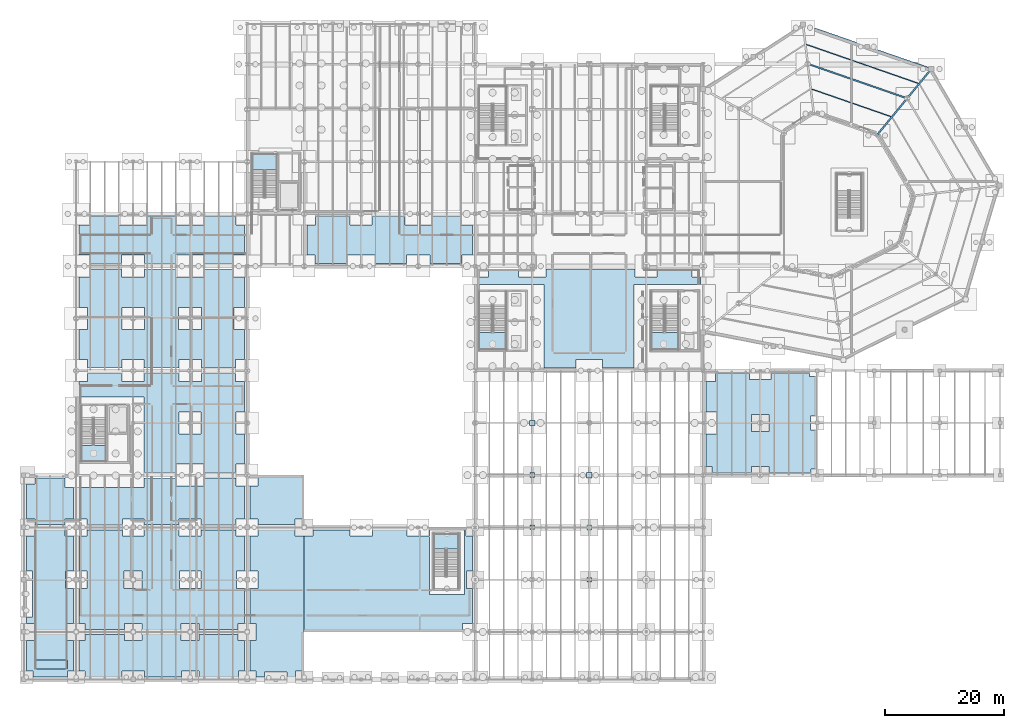
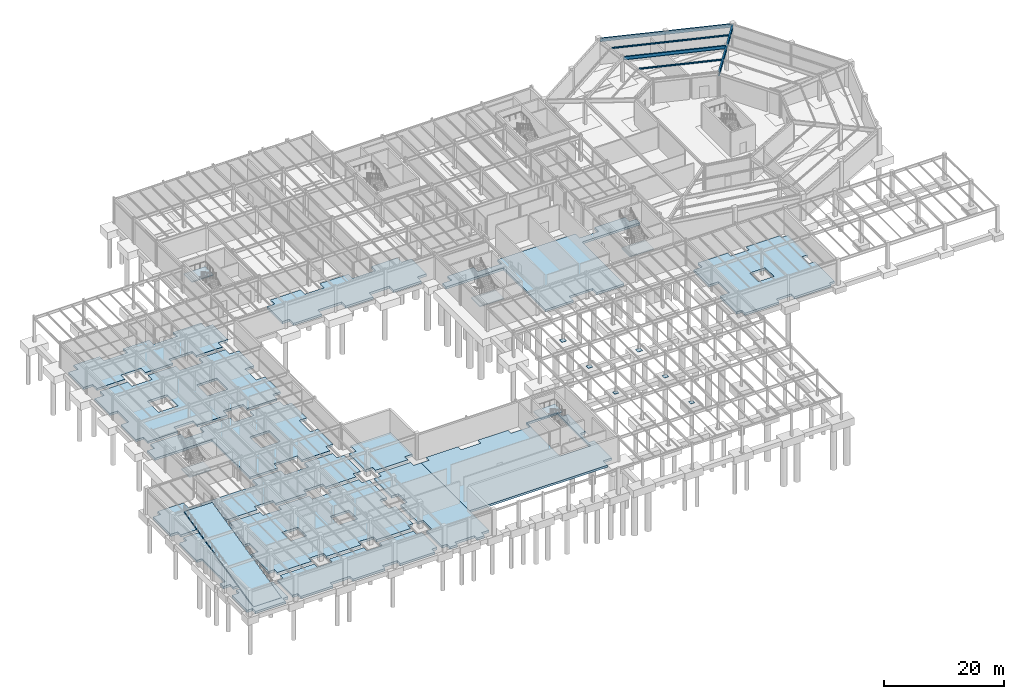
# One storey, part 24 of 48: 21 slabs, 6 plates, 5 beams, 5 elements without a shape of their own.
"""IFC4 building model written with IfcOpenShell, lengths in metres."""

import ifcopenshell
import ifcopenshell.guid

model = None  # the IFC model being written
_history = None  # IfcOwnerHistory: only IFC2X3 demands one
_inside = {}  # id of a spatial element -> (the spatial element, [elements in it])
_under = {}  # id of a project, library or spatial element -> (it, [spatial elements below it])
_declared = {}  # id of a project -> (the project, [libraries it declares])
_typed = {}  # id of a type object -> (the type object, [elements of that type])
_made_of = {}  # id of a material, layer set ... -> (it, [elements and type objects made of it])


def new_model(schema):
    """Start an empty IFC model of exactly this schema.

    Asked for "IFC4X3", IfcOpenShell would pick the latest addendum, in which some entities
    have other attributes; the version numbers below select the first issue.
    IFC2X3 requires an IfcOwnerHistory on every rooted entity: one is made here for all.
    """
    global model, _history
    if schema == "IFC4X3":
        model = ifcopenshell.file(schema_version=(4, 3, 0, 0))
    else:
        model = ifcopenshell.file(schema=schema)
    _inside.clear()
    _under.clear()
    _declared.clear()
    _typed.clear()
    _made_of.clear()
    _history = None
    if model.schema == "IFC2X3":
        org = make("IfcOrganization", Name="unknown")
        user = make(
            "IfcPersonAndOrganization",
            ThePerson=make("IfcPerson", FamilyName="unknown"),
            TheOrganization=org,
        )
        app = make(
            "IfcApplication",
            ApplicationDeveloper=org,
            Version="unknown",
            ApplicationFullName="unknown",
            ApplicationIdentifier="unknown",
        )
        _history = make(
            "IfcOwnerHistory",
            OwningUser=user,
            OwningApplication=app,
            ChangeAction="ADDED",
            CreationDate=0,
        )
    return model


def make(cls, **values):
    """One entity of the class cls with the attributes given. An attribute that is None is left unset."""
    return model.create_entity(
        cls, **{name: value for name, value in values.items() if value is not None}
    )


def rooted(cls, **values):
    """An entity with a GlobalId (a new one), such as an element, a storey or a relation."""
    return make(cls, GlobalId=ifcopenshell.guid.new(), OwnerHistory=_history, **values)


def si_unit(unit_type, name, prefix=None):
    """IfcSIUnit, for example si_unit("LENGTHUNIT", "METRE", prefix="MILLI")."""
    return make("IfcSIUnit", UnitType=unit_type, Prefix=prefix, Name=name)


def assignment(units):
    """IfcUnitAssignment: the units of a project."""
    return None if units is None else make("IfcUnitAssignment", Units=units)


def point(xyz):
    """IfcCartesianPoint."""
    return None if xyz is None else make("IfcCartesianPoint", Coordinates=xyz)


def direction(xyz):
    """IfcDirection."""
    return None if xyz is None else make("IfcDirection", DirectionRatios=xyz)


def frame(location, z_axis=None, x_axis=None):
    """IfcAxis2Placement3D, a coordinate frame: its origin and axes. An axis left out is left unset."""
    return make(
        "IfcAxis2Placement3D",
        Location=point(location),
        Axis=direction(z_axis),
        RefDirection=direction(x_axis),
    )


def frame_2d(location, x_axis=None):
    """IfcAxis2Placement2D, a coordinate frame in the plane: its origin and x axis."""
    return make(
        "IfcAxis2Placement2D", Location=point(location), RefDirection=direction(x_axis)
    )


def origin():
    """The frame at (0, 0, 0) with its axes left unset."""
    return frame((0.0, 0.0, 0.0))


def origin_2d():
    """The frame at (0, 0) in the plane with its x axis left unset."""
    return frame_2d((0.0, 0.0))


def place(relative_to, where):
    """IfcLocalPlacement: puts the frame where relative to a parent placement (None: the world)."""
    return make(
        "IfcLocalPlacement", PlacementRelTo=relative_to, RelativePlacement=where
    )


def context(
    kind, dimensions, precision=None, world=None, true_north=None, identifier=None
):
    """IfcGeometricRepresentationContext, for example the 3D "Model" context."""
    return make(
        "IfcGeometricRepresentationContext",
        ContextIdentifier=identifier,
        ContextType=kind,
        CoordinateSpaceDimension=dimensions,
        Precision=precision,
        WorldCoordinateSystem=world,
        TrueNorth=true_north,
    )


def subcontext(parent, identifier, kind, view, scale=None):
    """IfcGeometricRepresentationSubContext, for example "Body" below "Model"."""
    return make(
        "IfcGeometricRepresentationSubContext",
        ContextIdentifier=identifier,
        ContextType=kind,
        ParentContext=parent,
        TargetScale=scale,
        TargetView=view,
    )


def project(units=None, contexts=None):
    """IfcProject with its units and contexts."""
    return rooted(
        "IfcProject",
        Name="project",
        RepresentationContexts=contexts,
        UnitsInContext=assignment(units),
    )


def spatial(cls, under=None, at=None, **own):
    """A site, building, storey or space (cls), placed at a placement, below another one or the project."""
    s = rooted(cls, ObjectPlacement=at, **own)
    if under is not None:
        _under.setdefault(under.id(), (under, []))[1].append(s)
    return s


def polyline(points):
    """IfcPolyline through the points."""
    return make("IfcPolyline", Points=[point(p) for p in points])


def profile(cls, at=None, kind="AREA", **sizes):
    """A parametric profile (cls). Its sizes go by their IFC names, for example OverallWidth=200.0."""
    return make(cls, ProfileType=kind, Position=at, **sizes)


def rectangle(**sizes):
    """IfcRectangleProfileDef."""
    return profile("IfcRectangleProfileDef", **sizes)


def i_section(**sizes):
    """IfcIShapeProfileDef."""
    return profile("IfcIShapeProfileDef", **sizes)


def outline(outer, holes=None, kind="AREA"):
    """IfcArbitraryClosedProfileDef: a profile drawn as a closed curve; with holes, ...WithVoids."""
    if holes is None:
        return make("IfcArbitraryClosedProfileDef", ProfileType=kind, OuterCurve=outer)
    return make(
        "IfcArbitraryProfileDefWithVoids",
        ProfileType=kind,
        OuterCurve=outer,
        InnerCurves=holes,
    )


def extrude(swept, where, along, depth):
    """IfcExtrudedAreaSolid: the profile swept, set in the frame where, extruded along a direction by depth."""
    return make(
        "IfcExtrudedAreaSolid",
        SweptArea=swept,
        Position=where,
        ExtrudedDirection=direction(along),
        Depth=depth,
    )


def shape(context_of_items, identifier, shape_type, items):
    """IfcShapeRepresentation: the items that make up one representation, for example the "Body"."""
    return make(
        "IfcShapeRepresentation",
        ContextOfItems=context_of_items,
        RepresentationIdentifier=identifier,
        RepresentationType=shape_type,
        Items=items,
    )


def material(Name=None, Category=None):
    """IfcMaterial."""
    return make("IfcMaterial", Name=Name, Category=Category)


def layer(
    of_material, thickness, ventilated=None, Name=None, Category=None, Priority=None
):
    """IfcMaterialLayer: one layer of a wall or slab, of a material (None: an air gap)."""
    return make(
        "IfcMaterialLayer",
        Material=of_material,
        LayerThickness=thickness,
        IsVentilated=ventilated,
        Name=Name,
        Category=Category,
        Priority=Priority,
    )


def layer_set(layers, Name=None):
    """IfcMaterialLayerSet."""
    return make("IfcMaterialLayerSet", MaterialLayers=layers, LayerSetName=Name)


def material_profile(
    of_material, cross_section, Name=None, Category=None, Priority=None
):
    """IfcMaterialProfile: a cross section and its material."""
    return make(
        "IfcMaterialProfile",
        Name=Name,
        Material=of_material,
        Profile=cross_section,
        Priority=Priority,
        Category=Category,
    )


def profile_set(profiles, Name=None, composite=None):
    """IfcMaterialProfileSet."""
    return make(
        "IfcMaterialProfileSet",
        Name=Name,
        MaterialProfiles=profiles,
        CompositeProfile=composite,
    )


def made_of(thing, what):
    """Note that an element or type object is made of a material, layer set ...; save() writes the relation."""
    if what is not None:
        _made_of.setdefault(what.id(), (what, []))[1].append(thing)
    return thing


def type_object(cls, material=None, **own):
    """A type object (cls), such as IfcWallType, which elements share."""
    return made_of(rooted(cls, **own), material)


def element(
    cls,
    number,
    at=None,
    inside=None,
    cuts=None,
    type_object=None,
    material=None,
    context=None,
    identifier="Body",
    shape_type=None,
    held_by="IfcProductDefinitionShape",
    body=None,
    shapes=None,
    **own,
):
    """One element of the class cls, such as IfcWall. Its Tag is "e" and its number.

    at: its placement. inside: the storey or other place that contains it. cuts: it is an
    opening in that element (IfcRelVoidsElement). A single representation is given by context,
    identifier, shape_type and body (its items); several are given by shapes. held_by: the class
    of the entity that holds the representations. save() writes the other relations.
    """
    e = rooted(cls, Tag="e%d" % number, ObjectPlacement=at, **own)
    if body is not None:
        shapes = [shape(context, identifier, shape_type, body)]
    if shapes is not None:
        e.Representation = make(held_by, Representations=shapes)
    if inside is not None:
        _inside.setdefault(inside.id(), (inside, []))[1].append(e)
    if cuts is not None:
        rooted(
            "IfcRelVoidsElement", RelatingBuildingElement=cuts, RelatedOpeningElement=e
        )
    if type_object is not None:
        _typed.setdefault(type_object.id(), (type_object, []))[1].append(e)
    return made_of(e, material)


def aggregate(whole, parts):
    """IfcRelAggregates: a whole, such as a stair, and the parts it consists of."""
    return rooted("IfcRelAggregates", RelatingObject=whole, RelatedObjects=parts)


def save(model, path):
    """Write the relations noted so far, then the file.

    IfcRelAggregates (storeys below a building ...), IfcRelContainedInSpatialStructure (elements
    in a storey), IfcRelDefinesByType, IfcRelAssociatesMaterial and IfcRelDeclares: one each for
    every whole, place, type object, material and project.
    """
    for whole, parts in _under.values():
        aggregate(whole, parts)
    for where, things in _inside.values():
        rooted(
            "IfcRelContainedInSpatialStructure",
            RelatedElements=things,
            RelatingStructure=where,
        )
    for kind, things in _typed.values():
        rooted("IfcRelDefinesByType", RelatedObjects=things, RelatingType=kind)
    for what, things in _made_of.values():
        rooted("IfcRelAssociatesMaterial", RelatedObjects=things, RelatingMaterial=what)
    for by, libraries in _declared.values():
        rooted("IfcRelDeclares", RelatingContext=by, RelatedDefinitions=libraries)
    model.write(path)


model = new_model("IFC4")

# Units and contexts
model_context = context("Model", 3, precision=1e-05, world=origin(), true_north=direction((0.0, 1.0)))
body_context = subcontext(model_context, "Body", "Model", "MODEL_VIEW")
ifc_project = project(units=[si_unit("LENGTHUNIT", "METRE"), si_unit("AREAUNIT", "SQUARE_METRE"), si_unit("VOLUMEUNIT", "CUBIC_METRE"), si_unit("PLANEANGLEUNIT", "RADIAN"), si_unit("MASSUNIT", "GRAM", prefix="KILO")], contexts=[model_context])

# Site, building, storey
site_placement = place(None, origin())
site = spatial("IfcSite", under=ifc_project, at=site_placement, CompositionType="ELEMENT")
building_placement = place(site_placement, origin())
building = spatial("IfcBuilding", under=site, at=building_placement, Name="Sarnbrook Museum", CompositionType="ELEMENT")
storey_placement = place(building_placement, frame((0.0, 0.0, -5.39990234375)))
storey = spatial("IfcBuildingStorey", under=building, at=storey_placement, Name="B1", CompositionType="ELEMENT", Elevation=-5.39990234375)

# Beams
ifc_material_1 = material(Name="Structural Steel Grade 350L0 (AS/NZS 3678, fy = 340 MPa for 20 < t <= 40 mm)", Category="steel")
ifc_material_profile_1 = material_profile(ifc_material_1, i_section(OverallWidth=0.25, OverallDepth=0.699951171875, WebThickness=0.010009765625, FlangeThickness=0.01611328125, at=origin_2d()), Name="700WB130")
ifc_profile_set_1 = profile_set([ifc_material_profile_1], Name="Structural Steel Grade 350L0 (AS/NZS 3678, fy = 340 MPa for 20 < t <= 40 mm)")
beam_type_1 = type_object("IfcBeamType", Name="BM-WB700", PredefinedType="BEAM", material=ifc_profile_set_1)
beam_1_placement = place(storey_placement, frame((157.36376953125, 107.681884765625, 4.739990234375), z_axis=(-0.9446711743, 0.328018859896, 0.0), x_axis=(-0.328018859896, -0.9446711743, 0.0)))
element("IfcBeam", 1, at=beam_1_placement, inside=storey, type_object=beam_type_1, Name="Crystal Hall Perimeter Ring Girder 5 B1", PredefinedType="BEAM", context=body_context, shape_type="SweptSolid", body=[
    extrude(i_section(OverallWidth=0.25, OverallDepth=0.699951171875, WebThickness=0.010009765625, FlangeThickness=0.01611328125, at=origin_2d()), origin(), (0.0, 0.0, 1.0), 22.365234375),
])
beam_2_placement = place(storey_placement, frame((153.392578125, 102.70947265625, 4.739990234375), z_axis=(-0.944672698081, 0.328014471479, 0.0), x_axis=(-0.328014471479, -0.944672698081, 0.0)))
element("IfcBeam", 2, at=beam_2_placement, inside=storey, type_object=beam_type_1, Name="Crystal Hall R1 Ring Girder 5 B1", PredefinedType="BEAM", context=body_context, shape_type="SweptSolid", body=[
    extrude(i_section(OverallWidth=0.25, OverallDepth=0.699951171875, WebThickness=0.010009765625, FlangeThickness=0.01611328125, at=origin_2d()), origin(), (0.0, 0.0, 1.0), 17.400146484375),
])
ifc_material_profile_2 = material_profile(ifc_material_1, i_section(OverallWidth=0.27490234375, OverallDepth=0.800048828125, WebThickness=0.010009765625, FlangeThickness=0.01611328125, at=origin_2d()), Name="800WB146")
ifc_profile_set_2 = profile_set([ifc_material_profile_2], Name="Structural Steel Grade 350L0 (AS/NZS 3678, fy = 340 MPa for 20 < t <= 40 mm)")
beam_type_2 = type_object("IfcBeamType", Name="CR-CANT", PredefinedType="BEAM", material=ifc_profile_set_2)
beam_3_placement = place(storey_placement, frame((148.481689453125, 96.48876953125, 4.68994140625), z_axis=(0.63438210421, 0.773019628378, 0.0), x_axis=(-0.773019628378, 0.63438210421, 0.0)))
element("IfcBeam", 3, at=beam_3_placement, inside=storey, type_object=beam_type_2, Name="Crystal Hall Radial Cantilever Girder 5 B1", PredefinedType="BEAM", context=body_context, shape_type="SweptSolid", body=[
    extrude(i_section(OverallWidth=0.27490234375, OverallDepth=0.800048828125, WebThickness=0.010009765625, FlangeThickness=0.01611328125, at=origin_2d()), origin(), (0.0, 0.0, 1.0), 14.2236328125),
])
ifc_material_2 = material(Name="Structural Steel Grade 300PLUS (AS/NZS 3679.1, fy = 280 MPa for 17 < t <= 40 mm, 300 MPa for t <= 17 mm)", Category="steel")
ifc_material_profile_3 = material_profile(ifc_material_2, i_section(OverallWidth=0.1650390625, OverallDepth=0.303955078125, WebThickness=0.006103515625, FlangeThickness=0.01025390625, FilletRadius=0.011474609375, at=origin_2d()), Name="310UB40.4")
ifc_profile_set_3 = profile_set([ifc_material_profile_3], Name="Structural Steel Grade 300PLUS (AS/NZS 3679.1, fy = 280 MPa for 17 < t <= 40 mm, 300 MPa for t <= 17 mm)")
beam_type_3 = type_object("IfcBeamType", Name="JS-UB310", PredefinedType="JOIST", material=ifc_profile_set_3)
beam_4_placement = place(storey_placement, frame((155.420654296875, 105.180908203125, 4.93798828125), z_axis=(-0.944673769448, 0.328011385955, 0.0), x_axis=(-0.328011385955, -0.944673769448, 0.0)))
element("IfcBeam", 4, at=beam_4_placement, inside=storey, type_object=beam_type_3, Name="Crystal Hall Tangential Joist MO-5 B1", PredefinedType="JOIST", context=body_context, shape_type="SweptSolid", body=[
    extrude(i_section(OverallWidth=0.1650390625, OverallDepth=0.303955078125, WebThickness=0.006103515625, FlangeThickness=0.01025390625, FilletRadius=0.011474609375, at=origin_2d()), origin(), (0.0, 0.0, 1.0), 19.97265625),
])
beam_5_placement = place(storey_placement, frame((150.823486328125, 99.5791015625, 4.93798828125), z_axis=(-0.944677156242, 0.328001631818, 0.0), x_axis=(-0.328001631818, -0.944677156242, 0.0)))
element("IfcBeam", 5, at=beam_5_placement, inside=storey, type_object=beam_type_3, Name="Crystal Hall Tangential Joist MI-5 B1", PredefinedType="JOIST", context=body_context, shape_type="SweptSolid", body=[
    extrude(i_section(OverallWidth=0.1650390625, OverallDepth=0.303955078125, WebThickness=0.006103515625, FlangeThickness=0.01025390625, FilletRadius=0.011474609375, at=origin_2d()), origin(), (0.0, 0.0, 1.0), 14.141357421875),
])

# Slabs
ifc_material_3 = material(Name="Concrete N40 (AS 3600, f'c = 40 MPa)", Category="concrete")
ifc_layer_1 = layer(ifc_material_3, 0.43994140625)
ifc_layer_set_1 = layer_set([ifc_layer_1], Name="Concrete N40 (AS 3600, f'c = 40 MPa)")
slab_type_1 = type_object("IfcSlabType", Name="BaseSlab_440", PredefinedType="BASESLAB", material=ifc_layer_set_1)
slab_1_placement = place(storey_placement, frame((0.0, 0.0, -0.440185546875)))
element("IfcSlab", 6, at=slab_1_placement, inside=storey, type_object=slab_type_1, Name="V3 Structural Slab B1", PredefinedType="BASESLAB", context=body_context, shape_type="SweptSolid", body=[
    extrude(outline(polyline([(79.294921875, 28.945068359375), (80.344970703125, 28.945068359375), (80.344970703125, 23.054931640625), (79.344970703125, 23.054931640625), (79.344970703125, 20.14501953125), (80.344970703125, 20.14501953125), (80.344970703125, 14.2548828125), (78.64501953125, 14.2548828125), (78.64501953125, 12.800048828125), (52.0, 12.800048828125), (52.0, 28.945068359375), (53.5048828125, 28.945068359375), (53.5048828125, 29.945068359375), (59.695068359375, 29.945068359375), (59.695068359375, 28.945068359375), (63.5048828125, 28.945068359375), (63.5048828125, 29.945068359375), (69.344970703125, 29.945068359375), (69.344970703125, 28.945068359375), (73.054931640625, 28.945068359375), (73.054931640625, 30.39990234375), (79.294921875, 30.39990234375), (79.294921875, 28.945068359375)]), holes=[polyline([(78.985107421875, 19.094970703125), (73.10498046875, 19.094970703125), (73.10498046875, 28.804931640625), (73.195068359375, 28.804931640625), (73.195068359375, 30.260009765625), (78.985107421875, 30.260009765625), (78.985107421875, 19.094970703125)])]), origin(), (0.0, 0.0, 1.0), 0.440185546875),
])
ifc_layer_2 = layer(ifc_material_3, 0.449951171875)
ifc_layer_set_2 = layer_set([ifc_layer_2], Name="Concrete N40 (AS 3600, f'c = 40 MPa)")
slab_type_2 = type_object("IfcSlabType", Name="BaseSlab_450", PredefinedType="BASESLAB", material=ifc_layer_set_2)
slab_2_placement = place(storey_placement, frame((0.0, 0.0, -0.4501953125)))
element("IfcSlab", 7, at=slab_2_placement, inside=storey, type_object=slab_type_2, Name="V2 Structural Slab B1 Bay 2", PredefinedType="BASESLAB", context=body_context, shape_type="SweptSolid", body=[
    extrude(outline(polyline([(92.705078125, 73.945068359375), (107.7451171875, 73.945068359375), (107.7451171875, 72.544921875), (111.455078125, 72.544921875), (111.455078125, 73.945068359375), (117.344970703125, 73.945068359375), (117.344970703125, 72.544921875), (118.7451171875, 72.544921875), (118.7451171875, 71.304931640625), (107.544921875, 71.304931640625), (107.544921875, 57.2548828125), (102.2548828125, 57.2548828125), (102.2548828125, 58.655029296875), (97.7451171875, 58.655029296875), (97.7451171875, 57.2548828125), (92.35498046875, 57.2548828125), (92.35498046875, 71.304931640625), (81.2548828125, 71.304931640625), (81.2548828125, 72.544921875), (83.054931640625, 72.544921875), (83.054931640625, 73.945068359375), (88.094970703125, 73.945068359375), (88.094970703125, 72.544921875), (92.705078125, 72.544921875), (92.705078125, 73.945068359375)])), origin(), (0.0, 0.0, 1.0), 0.4501953125),
])
slab_3_placement = place(storey_placement, frame((0.0, 0.0, -0.4501953125)))
element("IfcSlab", 8, at=slab_3_placement, inside=storey, type_object=slab_type_2, Name="V3E Structural Slab B1", PredefinedType="BASESLAB", context=body_context, shape_type="SweptSolid", body=[
    extrude(outline(polyline([(137.2451171875, 49.155029296875), (137.2451171875, 46.844970703125), (138.364990234375, 46.844970703125), (138.364990234375, 40.2548828125), (137.344970703125, 40.2548828125), (137.344970703125, 39.655029296875), (130.2548828125, 39.655029296875), (130.2548828125, 40.655029296875), (127.344970703125, 40.655029296875), (127.344970703125, 39.655029296875), (120.705078125, 39.655029296875), (120.705078125, 40.655029296875), (119.655029296875, 40.655029296875), (119.655029296875, 46.14501953125), (121.5048828125, 46.14501953125), (121.5048828125, 49.85498046875), (119.655029296875, 49.85498046875), (119.655029296875, 54.945068359375), (121.2548828125, 54.945068359375), (121.2548828125, 56.344970703125), (126.9951171875, 56.344970703125), (126.9951171875, 55.344970703125), (130.60498046875, 55.344970703125), (130.60498046875, 56.344970703125), (137.094970703125, 56.344970703125), (137.094970703125, 55.794921875), (138.364990234375, 55.794921875), (138.364990234375, 49.155029296875), (137.2451171875, 49.155029296875)]), holes=[polyline([(130.304931640625, 49.455078125), (130.304931640625, 46.544921875), (127.294921875, 46.544921875), (127.294921875, 49.455078125), (130.304931640625, 49.455078125)])]), origin(), (0.0, 0.0, 1.0), 0.4501953125),
])
slab_4_placement = place(storey_placement, frame((0.0, 0.0, -0.4501953125)))
element("IfcSlab", 9, at=slab_4_placement, inside=storey, type_object=slab_type_2, Name="V4 Structural Slab B1", PredefinedType="BASESLAB", context=body_context, shape_type="SweptSolid", body=[
    extrude(outline(polyline([(30.89501953125, 56.344970703125), (30.89501953125, 54.945068359375), (34.705078125, 54.945068359375), (34.705078125, 56.344970703125), (40.445068359375, 56.344970703125), (40.445068359375, 54.945068359375), (41.945068359375, 54.945068359375), (41.945068359375, 49.85498046875), (40.4951171875, 49.85498046875), (40.4951171875, 46.14501953125), (41.945068359375, 46.14501953125), (41.945068359375, 41.054931640625), (40.544921875, 41.054931640625), (40.544921875, 39.655029296875), (35.10498046875, 39.655029296875), (35.10498046875, 41.054931640625), (30.4951171875, 41.054931640625), (30.4951171875, 39.655029296875), (25.054931640625, 39.655029296875), (25.054931640625, 52.35498046875), (14.054931640625, 52.35498046875), (14.054931640625, 54.945068359375), (15.5048828125, 54.945068359375), (15.5048828125, 56.344970703125), (21.344970703125, 56.344970703125), (21.344970703125, 54.945068359375), (25.054931640625, 54.945068359375), (25.054931640625, 56.344970703125), (30.89501953125, 56.344970703125)]), holes=[polyline([(34.655029296875, 46.14501953125), (30.945068359375, 46.14501953125), (30.945068359375, 49.85498046875), (34.655029296875, 49.85498046875), (34.655029296875, 46.14501953125)])]), origin(), (0.0, 0.0, 1.0), 0.4501953125),
])
slab_5_placement = place(storey_placement, frame((0.0, 0.0, -0.4501953125)))
element("IfcSlab", 10, at=slab_5_placement, inside=storey, type_object=slab_type_2, Name="V4 Structural Slab B1 Bay 2", PredefinedType="BASESLAB", context=body_context, shape_type="SweptSolid", body=[
    extrude(outline(polyline([(30.544921875, 73.945068359375), (30.544921875, 72.544921875), (35.054931640625, 72.544921875), (35.054931640625, 73.945068359375), (40.094970703125, 73.945068359375), (40.094970703125, 72.544921875), (41.945068359375, 72.544921875), (41.945068359375, 67.455078125), (40.14501953125, 67.455078125), (40.14501953125, 63.7451171875), (41.945068359375, 63.7451171875), (41.945068359375, 58.655029296875), (40.445068359375, 58.655029296875), (40.445068359375, 57.2548828125), (34.705078125, 57.2548828125), (34.705078125, 58.655029296875), (30.89501953125, 58.655029296875), (30.89501953125, 57.2548828125), (25.054931640625, 57.2548828125), (25.054931640625, 58.655029296875), (21.344970703125, 58.655029296875), (21.344970703125, 57.2548828125), (15.5048828125, 57.2548828125), (15.5048828125, 58.655029296875), (14.054931640625, 58.655029296875), (14.054931640625, 63.7451171875), (15.554931640625, 63.7451171875), (15.554931640625, 67.455078125), (14.054931640625, 67.455078125), (14.054931640625, 72.544921875), (15.85498046875, 72.544921875), (15.85498046875, 73.945068359375), (21.2451171875, 73.945068359375), (21.2451171875, 72.544921875), (25.155029296875, 72.544921875), (25.155029296875, 73.945068359375), (30.544921875, 73.945068359375)]), holes=[polyline([(21.294921875, 63.7451171875), (21.294921875, 67.455078125), (25.10498046875, 67.455078125), (25.10498046875, 63.7451171875), (21.294921875, 63.7451171875)]), polyline([(34.7548828125, 63.7451171875), (30.844970703125, 63.7451171875), (30.844970703125, 67.455078125), (34.7548828125, 67.455078125), (34.7548828125, 63.7451171875)])]), origin(), (0.0, 0.0, 1.0), 0.4501953125),
])
slab_6_placement = place(storey_placement, frame((0.0, 0.0, -0.4501953125)))
element("IfcSlab", 11, at=slab_6_placement, inside=storey, type_object=slab_type_2, Name="V4 Structural Slab B1 Bay 3", PredefinedType="BASESLAB", context=body_context, shape_type="SweptSolid", body=[
    extrude(outline(polyline([(30.4951171875, 82.7451171875), (30.4951171875, 81.344970703125), (35.10498046875, 81.344970703125), (35.10498046875, 82.7451171875), (40.544921875, 82.7451171875), (40.544921875, 81.344970703125), (41.945068359375, 81.344970703125), (41.945068359375, 76.2548828125), (40.094970703125, 76.2548828125), (40.094970703125, 74.85498046875), (35.054931640625, 74.85498046875), (35.054931640625, 76.2548828125), (30.544921875, 76.2548828125), (30.544921875, 74.85498046875), (25.155029296875, 74.85498046875), (25.155029296875, 76.2548828125), (21.2451171875, 76.2548828125), (21.2451171875, 74.85498046875), (15.85498046875, 74.85498046875), (15.85498046875, 76.2548828125), (14.054931640625, 76.2548828125), (14.054931640625, 81.344970703125), (15.905029296875, 81.344970703125), (15.905029296875, 82.7451171875), (20.945068359375, 82.7451171875), (20.945068359375, 81.344970703125), (25.455078125, 81.344970703125), (25.455078125, 82.7451171875), (30.4951171875, 82.7451171875)])), origin(), (0.0, 0.0, 1.0), 0.4501953125),
])
ifc_layer_3 = layer(ifc_material_3, 0.469970703125)
ifc_layer_set_3 = layer_set([ifc_layer_3], Name="Concrete N40 (AS 3600, f'c = 40 MPa)")
slab_type_3 = type_object("IfcSlabType", Name="BaseSlab_470", PredefinedType="BASESLAB", material=ifc_layer_set_3)
slab_7_placement = place(storey_placement, frame((0.0, 0.0, -0.47021484375)))
element("IfcSlab", 12, at=slab_7_placement, inside=storey, type_object=slab_type_3, Name="V5N Structural Slab B1 Bay 3", PredefinedType="BASESLAB", context=body_context, shape_type="SweptSolid", body=[
    extrude(outline(polyline([(78.4951171875, 81.344970703125), (80.344970703125, 81.344970703125), (80.344970703125, 76.2548828125), (78.544921875, 76.2548828125), (78.544921875, 74.85498046875), (73.155029296875, 74.85498046875), (73.155029296875, 76.2548828125), (69.2451171875, 76.2548828125), (69.2451171875, 74.85498046875), (63.905029296875, 74.85498046875), (63.905029296875, 76.2548828125), (59.294921875, 76.2548828125), (59.294921875, 74.85498046875), (53.85498046875, 74.85498046875), (53.85498046875, 76.2548828125), (52.455078125, 76.2548828125), (52.455078125, 81.344970703125), (53.905029296875, 81.344970703125), (53.905029296875, 82.7451171875), (59.7451171875, 82.7451171875), (59.7451171875, 81.344970703125), (63.455078125, 81.344970703125), (63.455078125, 82.7451171875), (68.945068359375, 82.7451171875), (68.945068359375, 81.344970703125), (73.455078125, 81.344970703125), (73.455078125, 82.7451171875), (78.4951171875, 82.7451171875), (78.4951171875, 81.344970703125)])), origin(), (0.0, 0.0, 1.0), 0.47021484375),
])
ifc_layer_4 = layer(ifc_material_3, 0.47998046875)
ifc_layer_set_4 = layer_set([ifc_layer_4], Name="Concrete N40 (AS 3600, f'c = 40 MPa)")
slab_type_4 = type_object("IfcSlabType", Name="BaseSlab_480", PredefinedType="BASESLAB", material=ifc_layer_set_4)
slab_8_placement = place(storey_placement, frame((0.0, 0.0, -0.47998046875)))
element("IfcSlab", 13, at=slab_8_placement, inside=storey, type_object=slab_type_4, Name="V5S Structural Slab B1", PredefinedType="BASESLAB", context=body_context, shape_type="SweptSolid", body=[
    extrude(outline(polyline([(6.304931640625, 5.2548828125), (6.304931640625, 6.2548828125), (5.2548828125, 6.2548828125), (5.2548828125, 11.344970703125), (6.60498046875, 11.344970703125), (6.60498046875, 12.344970703125), (12.094970703125, 12.344970703125), (12.094970703125, 11.344970703125), (13.14501953125, 11.344970703125), (13.14501953125, 6.2548828125), (12.14501953125, 6.2548828125), (12.14501953125, 5.2548828125), (6.304931640625, 5.2548828125)]), holes=[polyline([(6.679931640625, 8.050048828125), (12.1201171875, 8.050048828125), (12.1201171875, 6.580078125), (6.679931640625, 6.580078125), (6.679931640625, 8.050048828125)])]), origin(), (0.0, 0.0, 1.0), 0.47998046875),
])
slab_9_placement = place(storey_placement, frame((0.0, 0.0, -0.47998046875)))
element("IfcSlab", 14, at=slab_9_placement, inside=storey, type_object=slab_type_4, Name="V5S Structural Slab B1 Bay 2", PredefinedType="BASESLAB", context=body_context, shape_type="SweptSolid", body=[
    extrude(outline(polyline([(6.2548828125, 15.344970703125), (6.2548828125, 23.054931640625), (5.2548828125, 23.054931640625), (5.2548828125, 28.945068359375), (6.655029296875, 28.945068359375), (6.655029296875, 29.945068359375), (11.7451171875, 29.945068359375), (11.7451171875, 28.945068359375), (13.14501953125, 28.945068359375), (13.14501953125, 23.054931640625), (11.794921875, 23.054931640625), (11.794921875, 20.14501953125), (13.14501953125, 20.14501953125), (13.14501953125, 14.2548828125), (12.094970703125, 14.2548828125), (12.094970703125, 13.2548828125), (6.60498046875, 13.2548828125), (6.60498046875, 14.2548828125), (5.2548828125, 14.2548828125), (5.2548828125, 15.344970703125), (6.2548828125, 15.344970703125)])), origin(), (0.0, 0.0, 1.0), 0.47998046875),
])
slab_10_placement = place(storey_placement, frame((0.0, 0.0, -0.47998046875)))
element("IfcSlab", 15, at=slab_10_placement, inside=storey, type_object=slab_type_4, Name="V5S Structural Slab B1 Bay 3", PredefinedType="BASESLAB", context=body_context, shape_type="SweptSolid", body=[
    extrude(outline(polyline([(6.655029296875, 30.85498046875), (6.655029296875, 31.85498046875), (5.2548828125, 31.85498046875), (5.2548828125, 37.7451171875), (6.705078125, 37.7451171875), (6.705078125, 38.7451171875), (11.7451171875, 38.7451171875), (11.7451171875, 37.094970703125), (13.14501953125, 37.094970703125), (13.14501953125, 31.85498046875), (11.7451171875, 31.85498046875), (11.7451171875, 30.85498046875), (6.655029296875, 30.85498046875)])), origin(), (0.0, 0.0, 1.0), 0.47998046875),
])
slab_11_placement = place(storey_placement, frame((0.0, 0.0, -0.47998046875)))
element("IfcSlab", 16, at=slab_11_placement, inside=storey, type_object=slab_type_4, Name="V5S Structural Slab B1 Bay 4", PredefinedType="BASESLAB", context=body_context, shape_type="SweptSolid", body=[
    extrude(outline(polyline([(25.10498046875, 5.2548828125), (25.10498046875, 6.2548828125), (21.294921875, 6.2548828125), (21.294921875, 5.2548828125), (15.054931640625, 5.2548828125), (15.054931640625, 6.2548828125), (14.054931640625, 6.2548828125), (14.054931640625, 11.344970703125), (15.10498046875, 11.344970703125), (15.10498046875, 12.344970703125), (21.7451171875, 12.344970703125), (21.7451171875, 11.344970703125), (24.655029296875, 11.344970703125), (24.655029296875, 12.344970703125), (31.294921875, 12.344970703125), (31.294921875, 11.344970703125), (34.304931640625, 11.344970703125), (34.304931640625, 12.344970703125), (40.89501953125, 12.344970703125), (40.89501953125, 11.344970703125), (41.945068359375, 11.344970703125), (41.945068359375, 6.2548828125), (40.945068359375, 6.2548828125), (40.945068359375, 5.2548828125), (34.2548828125, 5.2548828125), (34.2548828125, 6.2548828125), (31.344970703125, 6.2548828125), (31.344970703125, 5.2548828125), (25.10498046875, 5.2548828125)])), origin(), (0.0, 0.0, 1.0), 0.47998046875),
])
slab_12_placement = place(storey_placement, frame((0.0, 0.0, -0.47998046875)))
element("IfcSlab", 17, at=slab_12_placement, inside=storey, type_object=slab_type_4, Name="V5S Structural Slab B1 Bay 5", PredefinedType="BASESLAB", context=body_context, shape_type="SweptSolid", body=[
    extrude(outline(polyline([(25.0048828125, 28.945068359375), (25.0048828125, 29.945068359375), (30.945068359375, 29.945068359375), (30.945068359375, 28.945068359375), (34.655029296875, 28.945068359375), (34.655029296875, 29.945068359375), (40.544921875, 29.945068359375), (40.544921875, 28.945068359375), (41.945068359375, 28.945068359375), (41.945068359375, 23.054931640625), (40.594970703125, 23.054931640625), (40.594970703125, 20.14501953125), (41.945068359375, 20.14501953125), (41.945068359375, 14.2548828125), (40.89501953125, 14.2548828125), (40.89501953125, 13.2548828125), (34.304931640625, 13.2548828125), (34.304931640625, 14.2548828125), (31.294921875, 14.2548828125), (31.294921875, 13.2548828125), (24.655029296875, 13.2548828125), (24.655029296875, 14.2548828125), (21.7451171875, 14.2548828125), (21.7451171875, 13.2548828125), (15.10498046875, 13.2548828125), (15.10498046875, 14.2548828125), (14.054931640625, 14.2548828125), (14.054931640625, 20.14501953125), (15.405029296875, 20.14501953125), (15.405029296875, 23.054931640625), (14.054931640625, 23.054931640625), (14.054931640625, 28.945068359375), (15.455078125, 28.945068359375), (15.455078125, 29.945068359375), (21.39501953125, 29.945068359375), (21.39501953125, 28.945068359375), (25.0048828125, 28.945068359375)]), holes=[polyline([(24.705078125, 20.14501953125), (21.695068359375, 20.14501953125), (21.695068359375, 23.054931640625), (24.705078125, 23.054931640625), (24.705078125, 20.14501953125)]), polyline([(34.60498046875, 20.14501953125), (30.9951171875, 20.14501953125), (30.9951171875, 23.054931640625), (34.60498046875, 23.054931640625), (34.60498046875, 20.14501953125)])]), origin(), (0.0, 0.0, 1.0), 0.47998046875),
])
slab_13_placement = place(storey_placement, frame((0.0, 0.0, -0.47998046875)))
element("IfcSlab", 18, at=slab_13_placement, inside=storey, type_object=slab_type_4, Name="V5S Structural Slab B1 Bay 6", PredefinedType="BASESLAB", context=body_context, shape_type="SweptSolid", body=[
    extrude(outline(polyline([(25.054931640625, 38.7451171875), (30.4951171875, 38.7451171875), (30.4951171875, 37.344970703125), (35.10498046875, 37.344970703125), (35.10498046875, 38.7451171875), (40.544921875, 38.7451171875), (40.544921875, 37.344970703125), (41.945068359375, 37.344970703125), (41.945068359375, 31.85498046875), (40.544921875, 31.85498046875), (40.544921875, 30.85498046875), (34.655029296875, 30.85498046875), (34.655029296875, 31.85498046875), (30.945068359375, 31.85498046875), (30.945068359375, 30.85498046875), (25.0048828125, 30.85498046875), (25.0048828125, 31.85498046875), (21.39501953125, 31.85498046875), (21.39501953125, 30.85498046875), (15.455078125, 30.85498046875), (15.455078125, 31.85498046875), (14.054931640625, 31.85498046875), (14.054931640625, 37.094970703125), (25.054931640625, 37.094970703125), (25.054931640625, 38.7451171875)])), origin(), (0.0, 0.0, 1.0), 0.47998046875),
])
slab_14_placement = place(storey_placement, frame((0.0, 0.0, -0.47998046875)))
element("IfcSlab", 19, at=slab_14_placement, inside=storey, type_object=slab_type_4, Name="V5S Structural Slab B1 Bay 7", PredefinedType="BASESLAB", context=body_context, shape_type="SweptSolid", body=[
    extrude(outline(polyline([(50.544921875, 6.2548828125), (50.544921875, 5.2548828125), (49.10498046875, 5.2548828125), (49.10498046875, 6.074951171875), (45.294921875, 6.074951171875), (45.294921875, 5.2548828125), (43.85498046875, 5.2548828125), (43.85498046875, 6.2548828125), (42.85498046875, 6.2548828125), (42.85498046875, 11.344970703125), (43.905029296875, 11.344970703125), (43.905029296875, 14.2548828125), (42.85498046875, 14.2548828125), (42.85498046875, 20.14501953125), (44.205078125, 20.14501953125), (44.205078125, 23.054931640625), (42.85498046875, 23.054931640625), (42.85498046875, 28.945068359375), (44.2548828125, 28.945068359375), (44.2548828125, 29.945068359375), (50.4951171875, 29.945068359375), (50.4951171875, 28.945068359375), (51.99609375, 28.945068359375), (51.99609375, 12.7958984375), (52.0, 12.7958984375), (52.0, 6.2548828125), (50.544921875, 6.2548828125)])), origin(), (0.0, 0.0, 1.0), 0.47998046875),
])
slab_15_placement = place(storey_placement, frame((0.0, 0.0, -0.47998046875)))
element("IfcSlab", 20, at=slab_15_placement, inside=storey, type_object=slab_type_4, Name="V5S Structural Slab B1 Bay 8", PredefinedType="BASESLAB", context=body_context, shape_type="SweptSolid", body=[
    extrude(outline(polyline([(50.4951171875, 31.85498046875), (50.4951171875, 30.85498046875), (44.2548828125, 30.85498046875), (44.2548828125, 31.85498046875), (42.85498046875, 31.85498046875), (42.85498046875, 37.344970703125), (44.2548828125, 37.344970703125), (44.2548828125, 39.199951171875), (52.0, 39.199951171875), (52.0, 31.85498046875), (50.4951171875, 31.85498046875)])), origin(), (0.0, 0.0, 1.0), 0.47998046875),
])

# Stair, slab
stair_type_1 = type_object("IfcStairType", Name="Stair_ST01", PredefinedType="HALF_TURN_STAIR", material=ifc_material_3)
stair_1_placement = place(storey_placement, origin())
stair_1 = element("IfcStair", 21, at=stair_1_placement, inside=storey, type_object=stair_type_1, Name="B1 Exit Stair ST1", PredefinedType="HALF_TURN_STAIR")
ifc_layer_5 = layer(ifc_material_3, 0.199951171875)
ifc_layer_set_5 = layer_set([ifc_layer_5], Name="Concrete N40 (AS 3600, f'c = 40 MPa)")
slab_type_5 = type_object("IfcSlabType", Name="Landing_200", PredefinedType="LANDING", material=ifc_layer_set_5)
slab_16_placement = place(storey_placement, frame((0.0, 0.0, 2.5)))
slab_16 = element("IfcSlab", 22, at=slab_16_placement, type_object=slab_type_5, Name="ST1 landing 1", PredefinedType="LANDING", context=body_context, shape_type="SweptSolid", body=[
    extrude(outline(polyline([(110.43994140625, 63.239990234375), (110.43994140625, 60.300048828125), (115.06005859375, 60.300048828125), (115.06005859375, 63.239990234375), (110.43994140625, 63.239990234375)])), origin(), (0.0, 0.0, 1.0), 0.199951171875),
])
aggregate(stair_1, [slab_16])

stair_2_placement = place(storey_placement, origin())
stair_2 = element("IfcStair", 23, at=stair_2_placement, inside=storey, type_object=stair_type_1, Name="B1 Exit Stair ST3", PredefinedType="HALF_TURN_STAIR")
slab_17_placement = place(storey_placement, frame((0.0, 0.0, 2.5)))
slab_17 = element("IfcSlab", 24, at=slab_17_placement, type_object=slab_type_5, Name="ST3 landing 1", PredefinedType="LANDING", context=body_context, shape_type="SweptSolid", body=[
    extrude(outline(polyline([(81.43994140625, 63.239990234375), (81.43994140625, 60.300048828125), (86.06005859375, 60.300048828125), (86.06005859375, 63.239990234375), (81.43994140625, 63.239990234375)])), origin(), (0.0, 0.0, 1.0), 0.199951171875),
])
aggregate(stair_2, [slab_17])

stair_type_2 = type_object("IfcStairType", Name="Stair_ST05", PredefinedType="HALF_TURN_STAIR", material=ifc_material_3)
stair_3_placement = place(storey_placement, origin())
stair_3 = element("IfcStair", 25, at=stair_3_placement, inside=storey, type_object=stair_type_2, Name="B1 Exit Stair ST5", PredefinedType="HALF_TURN_STAIR")
slab_18_placement = place(storey_placement, frame((0.0, 0.0, 2.5)))
slab_18 = element("IfcSlab", 26, at=slab_18_placement, type_object=slab_type_5, Name="ST5 landing 1", PredefinedType="LANDING", context=body_context, shape_type="SweptSolid", body=[
    extrude(outline(polyline([(14.43994140625, 44.239990234375), (14.43994140625, 41.5), (18.639892578125, 41.5), (18.639892578125, 44.239990234375), (14.43994140625, 44.239990234375)])), origin(), (0.0, 0.0, 1.0), 0.199951171875),
])
aggregate(stair_3, [slab_18])

stair_4_placement = place(storey_placement, origin())
stair_4 = element("IfcStair", 27, at=stair_4_placement, inside=storey, type_object=stair_type_2, Name="B1 Exit Stair ST6", PredefinedType="HALF_TURN_STAIR")
slab_19_placement = place(storey_placement, frame((0.0, 0.0, 2.5)))
slab_19 = element("IfcSlab", 28, at=slab_19_placement, type_object=slab_type_5, Name="ST6 landing 1", PredefinedType="LANDING", context=body_context, shape_type="SweptSolid", body=[
    extrude(outline(polyline([(47.43994140625, 90.56005859375), (47.43994140625, 93.300048828125), (43.239990234375, 93.300048828125), (43.239990234375, 90.56005859375), (47.43994140625, 90.56005859375)])), origin(), (0.0, 0.0, 1.0), 0.199951171875),
])
aggregate(stair_4, [slab_19])

stair_5_placement = place(storey_placement, origin())
stair_5 = element("IfcStair", 29, at=stair_5_placement, inside=storey, type_object=stair_type_2, Name="B1 Exit Stair ST8", PredefinedType="HALF_TURN_STAIR")
slab_20_placement = place(storey_placement, frame((0.0, 0.0, 2.5)))
slab_20 = element("IfcSlab", 30, at=slab_20_placement, type_object=slab_type_5, Name="ST8 landing 1", PredefinedType="LANDING", context=body_context, shape_type="SweptSolid", body=[
    extrude(outline(polyline([(78.0400390625, 26.760009765625), (78.0400390625, 29.300048828125), (73.840087890625, 29.300048828125), (73.840087890625, 26.760009765625), (78.0400390625, 26.760009765625)])), origin(), (0.0, 0.0, 1.0), 0.199951171875),
])
aggregate(stair_5, [slab_20])

# Slab
ifc_layer_6 = layer(ifc_material_3, 0.280029296875)
ifc_layer_set_6 = layer_set([ifc_layer_6], Name="Concrete N40 (AS 3600, f'c = 40 MPa)")
slab_type_6 = type_object("IfcSlabType", Name="RampSlab_VR280", PredefinedType="FLOOR", material=ifc_layer_set_6)
slab_21_placement = place(storey_placement, frame((6.699951171875, 6.60009765625, 0.0), z_axis=(0.0, -0.226650046147, 0.97397626079), x_axis=(1.0, 0.0, 0.0)))
element("IfcSlab", 31, at=slab_21_placement, inside=storey, type_object=slab_type_6, Name="Service & Art Delivery Vehicle Ramp Slab VR-1", PredefinedType="FLOOR", context=body_context, shape_type="SweptSolid", body=[
    extrude(outline(polyline([(0.0, 0.0), (5.400146484375, 0.0), (5.400146484375, 23.8248455517437), (0.0, 23.8248455517437), (0.0, 0.0)])), origin(), (0.0, 0.0, -1.0), 0.280029296875),
])

# Plates
ifc_layer_7 = layer(ifc_material_1, 0.0380859375)
ifc_layer_set_7 = layer_set([ifc_layer_7], Name="Structural Steel Grade 350L0 (AS/NZS 3678, fy = 340 MPa for 20 < t <= 40 mm)")
plate_type_1 = type_object("IfcPlateType", Name="SheetPlate_BP4", PredefinedType="SHEET", material=ifc_layer_set_7)
for number, where, z_axis, x_axis, name in (
    (32, (90.39990234375, 30.39990234375, -0.000244140625), (0.0, 0.0, 1.0), (1.0, 0.0, 0.0), "Column Base Plate 10-D"),
    (33, (100.0, 21.60009765625, -0.000244140625), (0.0, 0.0, 1.0), (1.0, 0.0, 0.0), "Column Base Plate 11-C"),
):
    element("IfcPlate", number, at=place(storey_placement, frame(where, z_axis=z_axis, x_axis=x_axis)), inside=storey, type_object=plate_type_1, Name=name, PredefinedType="SHEET", context=body_context, shape_type="SweptSolid", body=[
        extrude(rectangle(XDim=0.75, YDim=0.75, at=origin_2d()), origin(), (0.0, 0.0, 1.0), 0.0380859375),
    ])
ifc_layer_8 = layer(ifc_material_1, 0.0400390625)
ifc_layer_set_8 = layer_set([ifc_layer_8], Name="Structural Steel Grade 350L0 (AS/NZS 3678, fy = 340 MPa for 20 < t <= 40 mm)")
plate_type_2 = type_object("IfcPlateType", Name="SheetPlate_BP5", PredefinedType="SHEET", material=ifc_layer_set_8)
for number, where, z_axis, x_axis, name in (
    (34, (90.39990234375, 39.199951171875, 0.0), (0.0, 0.0, 1.0), (1.0, 0.0, 0.0), "Column Base Plate 10-E"),
    (35, (100.0, 30.39990234375, 0.0), (0.0, 0.0, 1.0), (1.0, 0.0, 0.0), "Column Base Plate 11-D"),
):
    element("IfcPlate", number, at=place(storey_placement, frame(where, z_axis=z_axis, x_axis=x_axis)), inside=storey, type_object=plate_type_2, Name=name, PredefinedType="SHEET", context=body_context, shape_type="SweptSolid", body=[
        extrude(rectangle(XDim=0.820068359375, YDim=0.820068359375, at=origin_2d()), origin(), (0.0, 0.0, 1.0), 0.0400390625),
    ])
ifc_layer_9 = layer(ifc_material_1, 0.0400390625)
ifc_layer_set_9 = layer_set([ifc_layer_9], Name="Structural Steel Grade 350L0 (AS/NZS 3678, fy = 340 MPa for 20 < t <= 40 mm)")
plate_type_3 = type_object("IfcPlateType", Name="SheetPlate_BP6", PredefinedType="SHEET", material=ifc_layer_set_9)
for number, where, z_axis, x_axis, name in (
    (36, (90.39990234375, 48.0, 0.0), (0.0, 0.0, 1.0), (1.0, 0.0, 0.0), "Column Base Plate 10-F"),
    (37, (100.0, 39.199951171875, 0.0), (0.0, 0.0, 1.0), (1.0, 0.0, 0.0), "Column Base Plate 11-E"),
):
    element("IfcPlate", number, at=place(storey_placement, frame(where, z_axis=z_axis, x_axis=x_axis)), inside=storey, type_object=plate_type_3, Name=name, PredefinedType="SHEET", context=body_context, shape_type="SweptSolid", body=[
        extrude(rectangle(XDim=0.89990234375, YDim=0.89990234375, at=origin_2d()), origin(), (0.0, 0.0, 1.0), 0.0400390625),
    ])

save(model, "model.ifc")
